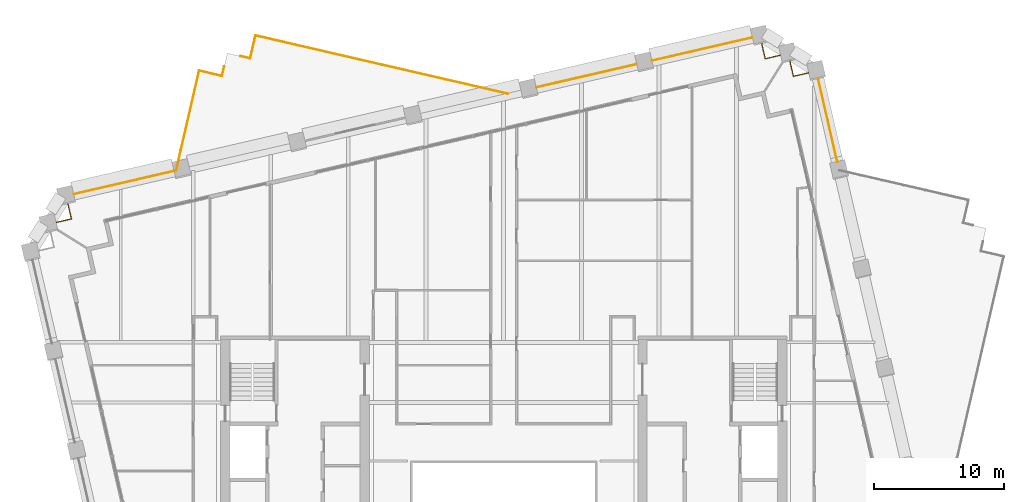
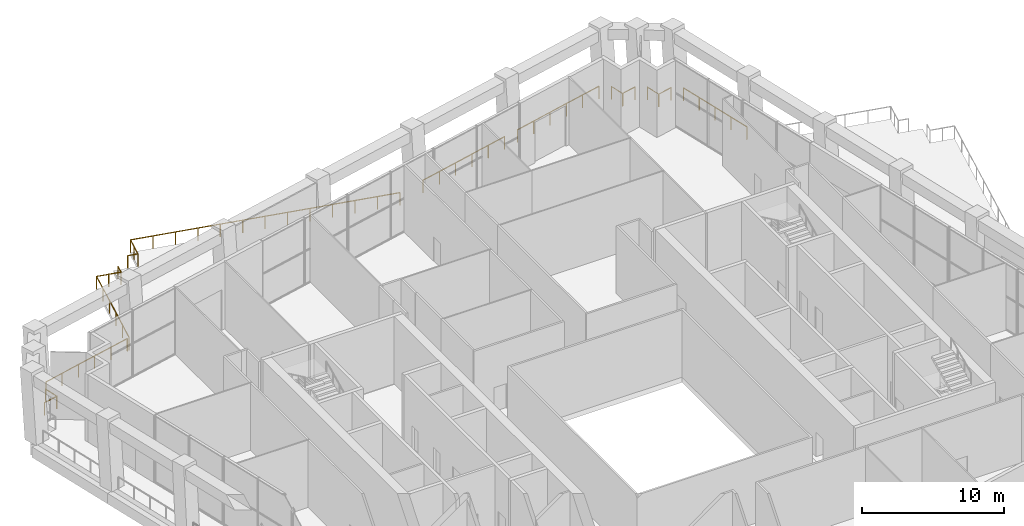
# One storey, part 22 of 24: 13 railings.
"""IFC4 building model written with IfcOpenShell, lengths in metres."""

from ifc_helpers import new_model, si_unit, direction, frame, origin, origin_2d, place, context, subcontext, project, spatial, circle, extrude, material, type_object, element, save


model = new_model("IFC4")

# Units and contexts
model_context = context("Model", 3, precision=1e-05, world=origin(), true_north=direction((0.0, 1.0)))
body_context = subcontext(model_context, "Body", "Model", "MODEL_VIEW")
ifc_project = project(units=[si_unit("LENGTHUNIT", "METRE"), si_unit("AREAUNIT", "SQUARE_METRE"), si_unit("VOLUMEUNIT", "CUBIC_METRE"), si_unit("PLANEANGLEUNIT", "RADIAN"), si_unit("MASSUNIT", "GRAM", prefix="KILO")], contexts=[model_context])

# Site, building, storey
site_placement = place(None, origin())
site = spatial("IfcSite", under=ifc_project, at=site_placement, CompositionType="ELEMENT")
building_placement = place(site_placement, origin())
building = spatial("IfcBuilding", under=site, at=building_placement, Name="Ogive Exchange Tower", CompositionType="ELEMENT")
storey_placement = place(building_placement, frame((0.0, 0.0, 165.60009765625)))
storey = spatial("IfcBuildingStorey", under=building, at=storey_placement, Name="L36", CompositionType="ELEMENT", Elevation=165.60009765625)

# Railings
ifc_material = material(Name="Stainless steel 316", Category="steel")
railing_type_1 = type_object("IfcRailingType", Name="Balustrade 1100 glass and stainless steel", PredefinedType="BALUSTRADE", material=ifc_material)
railing_1_placement = place(storey_placement, frame((-23.347900390625, 46.066162109375, 0.0)))
element("IfcRailing", 1, at=railing_1_placement, inside=storey, type_object=railing_type_1, Name="Terrace balustrade 19", PredefinedType="BALUSTRADE", context=body_context, shape_type="SweptSolid", body=[
    extrude(circle(Radius=0.02392578125, at=origin_2d()), frame((0.0, 0.0, 1.076171875), z_axis=(0.974386623598, -0.224879318197, 0.0), x_axis=(0.224879318197, 0.974386623598, 0.0)), (0.0, 0.0, 1.0), 1.800048828125),
    extrude(circle(Radius=0.02099609375, at=origin_2d()), origin(), (0.0, 0.0, 1.0), 1.052001953125),
    extrude(circle(Radius=0.02099609375, at=origin_2d()), frame((0.876953125, -0.202392578125, 0.0)), (0.0, 0.0, 1.0), 1.052001953125),
    extrude(circle(Radius=0.02099609375, at=origin_2d()), frame((1.75390625, -0.40478515625, 0.0)), (0.0, 0.0, 1.0), 1.052001953125),
])
railing_2_placement = place(storey_placement, frame((-21.593994140625, 45.661376953125, 0.0)))
element("IfcRailing", 2, at=railing_2_placement, inside=storey, type_object=railing_type_1, Name="Terrace balustrade 20", PredefinedType="BALUSTRADE", context=body_context, shape_type="SweptSolid", body=[
    extrude(circle(Radius=0.02392578125, at=origin_2d()), frame((0.0, 0.0, 1.076171875), z_axis=(0.224954609936, 0.974369243905, 0.0), x_axis=(-0.974369243905, 0.224954609936, 0.0)), (0.0, 0.0, 1.0), 0.75),
    extrude(circle(Radius=0.02099609375, at=origin_2d()), origin(), (0.0, 0.0, 1.0), 1.052001953125),
    extrude(circle(Radius=0.02099609375, at=origin_2d()), frame((0.168701171875, 0.730712890625, 0.0)), (0.0, 0.0, 1.0), 1.052001953125),
])
railing_3_placement = place(storey_placement, frame((-20.166015625, 47.178955078125, 0.0)))
element("IfcRailing", 3, at=railing_3_placement, inside=storey, type_object=railing_type_1, Name="Terrace balustrade 21", PredefinedType="BALUSTRADE", context=body_context, shape_type="SweptSolid", body=[
    extrude(circle(Radius=0.02392578125, at=origin_2d()), frame((0.0, 0.0, 1.076171875), z_axis=(0.974369243905, -0.224954609936, 0.0), x_axis=(0.224954609936, 0.974369243905, 0.0)), (0.0, 0.0, 1.0), 0.75),
    extrude(circle(Radius=0.02099609375, at=origin_2d()), origin(), (0.0, 0.0, 1.0), 1.052001953125),
    extrude(circle(Radius=0.02099609375, at=origin_2d()), frame((0.730712890625, -0.168701171875, 0.0)), (0.0, 0.0, 1.0), 1.052001953125),
])
railing_4_placement = place(storey_placement, frame((-19.435302734375, 47.01025390625, 0.0)))
element("IfcRailing", 4, at=railing_4_placement, inside=storey, type_object=railing_type_1, Name="Terrace balustrade 22", PredefinedType="BALUSTRADE", context=body_context, shape_type="SweptSolid", body=[
    extrude(circle(Radius=0.02392578125, at=origin_2d()), frame((0.0, 0.0, 1.076171875), z_axis=(0.224879318197, 0.974386623598, 0.0), x_axis=(-0.974386623598, 0.224879318197, 0.0)), (0.0, 0.0, 1.0), 1.800048828125),
    extrude(circle(Radius=0.02099609375, at=origin_2d()), origin(), (0.0, 0.0, 1.0), 1.052001953125),
    extrude(circle(Radius=0.02099609375, at=origin_2d()), frame((0.202392578125, 0.876953125, 0.0)), (0.0, 0.0, 1.0), 1.052001953125),
    extrude(circle(Radius=0.02099609375, at=origin_2d()), frame((0.40478515625, 1.75390625, 0.0)), (0.0, 0.0, 1.0), 1.052001953125),
])
railing_5_placement = place(storey_placement, frame((-19.030517578125, 48.76416015625, 0.0)))
element("IfcRailing", 5, at=railing_5_placement, inside=storey, type_object=railing_type_1, Name="Terrace balustrade 23", PredefinedType="BALUSTRADE", context=body_context, shape_type="SweptSolid", body=[
    extrude(circle(Radius=0.02392578125, at=origin_2d()), frame((0.0, 0.0, 1.076171875), z_axis=(0.974370495686, -0.224949187898, 0.0), x_axis=(0.224949187898, 0.974370495686, 0.0)), (0.0, 0.0, 1.0), 19.8818359375),
    extrude(circle(Radius=0.02099609375, at=origin_2d()), origin(), (0.0, 0.0, 1.0), 1.052001953125),
    extrude(circle(Radius=0.02099609375, at=origin_2d()), frame((1.6142578125, -0.372802734375, 0.0)), (0.0, 0.0, 1.0), 1.052001953125),
    extrude(circle(Radius=0.02099609375, at=origin_2d()), frame((3.228759765625, -0.745361328125, 0.0)), (0.0, 0.0, 1.0), 1.052001953125),
    extrude(circle(Radius=0.02099609375, at=origin_2d()), frame((4.843017578125, -1.1181640625, 0.0)), (0.0, 0.0, 1.0), 1.052001953125),
    extrude(circle(Radius=0.02099609375, at=origin_2d()), frame((6.45751953125, -1.49072265625, 0.0)), (0.0, 0.0, 1.0), 1.052001953125),
    extrude(circle(Radius=0.02099609375, at=origin_2d()), frame((8.07177734375, -1.863525390625, 0.0)), (0.0, 0.0, 1.0), 1.052001953125),
    extrude(circle(Radius=0.02099609375, at=origin_2d()), frame((9.68603515625, -2.236328125, 0.0)), (0.0, 0.0, 1.0), 1.052001953125),
    extrude(circle(Radius=0.02099609375, at=origin_2d()), frame((11.300537109375, -2.60888671875, 0.0)), (0.0, 0.0, 1.0), 1.052001953125),
    extrude(circle(Radius=0.02099609375, at=origin_2d()), frame((12.914794921875, -2.981689453125, 0.0)), (0.0, 0.0, 1.0), 1.052001953125),
    extrude(circle(Radius=0.02099609375, at=origin_2d()), frame((14.529296875, -3.354248046875, 0.0)), (0.0, 0.0, 1.0), 1.052001953125),
    extrude(circle(Radius=0.02099609375, at=origin_2d()), frame((16.1435546875, -3.72705078125, 0.0)), (0.0, 0.0, 1.0), 1.052001953125),
    extrude(circle(Radius=0.02099609375, at=origin_2d()), frame((17.758056640625, -4.099609375, 0.0)), (0.0, 0.0, 1.0), 1.052001953125),
    extrude(circle(Radius=0.02099609375, at=origin_2d()), frame((19.372314453125, -4.472412109375, 0.0)), (0.0, 0.0, 1.0), 1.052001953125),
])
railing_6_placement = place(storey_placement, frame((-25.114501953125, 38.414794921875, 0.0)))
element("IfcRailing", 6, at=railing_6_placement, inside=storey, type_object=railing_type_1, Name="Terrace balustrade 24", PredefinedType="BALUSTRADE", context=body_context, shape_type="SweptSolid", body=[
    extrude(circle(Radius=0.02392578125, at=origin_2d()), frame((0.0, 0.0, 1.076171875), z_axis=(0.224968495563, 0.974366037998, 0.0), x_axis=(-0.974366037998, 0.224968495563, 0.0)), (0.0, 0.0, 1.0), 7.852783203125),
    extrude(circle(Radius=0.02099609375, at=origin_2d()), origin(), (0.0, 0.0, 1.0), 1.052001953125),
    extrude(circle(Radius=0.02099609375, at=origin_2d()), frame((0.353271484375, 1.5302734375, 0.0)), (0.0, 0.0, 1.0), 1.052001953125),
    extrude(circle(Radius=0.02099609375, at=origin_2d()), frame((0.70654296875, 3.060546875, 0.0)), (0.0, 0.0, 1.0), 1.052001953125),
    extrude(circle(Radius=0.02099609375, at=origin_2d()), frame((1.06005859375, 4.5908203125, 0.0)), (0.0, 0.0, 1.0), 1.052001953125),
    extrude(circle(Radius=0.02099609375, at=origin_2d()), frame((1.413330078125, 6.12109375, 0.0)), (0.0, 0.0, 1.0), 1.052001953125),
    extrude(circle(Radius=0.02099609375, at=origin_2d()), frame((1.7666015625, 7.6513671875, 0.0)), (0.0, 0.0, 1.0), 1.052001953125),
])
railing_type_2 = type_object("IfcRailingType", Name="Guard 1100 stainless steel and glass", PredefinedType="GUARDRAIL", material=ifc_material)
railing_7_placement = place(storey_placement, frame((25.58203125, 39.055419921875, 0.0)))
element("IfcRailing", 7, at=railing_7_placement, inside=storey, type_object=railing_type_2, Name="Loggia guard E06", PredefinedType="GUARDRAIL", context=body_context, shape_type="SweptSolid", body=[
    extrude(circle(Radius=0.02392578125, at=origin_2d()), frame((0.0, 0.0, 1.076171875), z_axis=(-0.224973663593, 0.974364844752, 0.0), x_axis=(-0.974364844752, -0.224973663593, 0.0)), (0.0, 0.0, 1.0), 6.56005859375),
    extrude(circle(Radius=0.02099609375, at=origin_2d()), origin(), (0.0, 0.0, 1.0), 1.052001953125),
    extrude(circle(Radius=0.02099609375, at=origin_2d()), frame((-0.368896484375, 1.597900390625, 0.0)), (0.0, 0.0, 1.0), 1.052001953125),
    extrude(circle(Radius=0.02099609375, at=origin_2d()), frame((-0.73779296875, 3.19580078125, 0.0)), (0.0, 0.0, 1.0), 1.052001953125),
    extrude(circle(Radius=0.02099609375, at=origin_2d()), frame((-1.10693359375, 4.7939453125, 0.0)), (0.0, 0.0, 1.0), 1.052001953125),
    extrude(circle(Radius=0.02099609375, at=origin_2d()), frame((-1.475830078125, 6.391845703125, 0.0)), (0.0, 0.0, 1.0), 1.052001953125),
])
for number, where, name in (
    (8, (19.045166015625, 48.609619140625, 0.0), "Loggia guard N00"),
    (9, (10.178466796875, 46.562744140625, 0.0), "Loggia guard N01"),
):
    element("IfcRailing", number, at=place(storey_placement, frame(where)), inside=storey, type_object=railing_type_2, Name=name, PredefinedType="GUARDRAIL", context=body_context, shape_type="SweptSolid", body=[
        extrude(circle(Radius=0.02392578125, at=origin_2d()), frame((0.0, 0.0, 1.076171875), z_axis=(-0.974370774795, -0.22494797893, 0.0), x_axis=(0.22494797893, -0.974370774795, 0.0)), (0.0, 0.0, 1.0), 7.85986328125),
        extrude(circle(Radius=0.02099609375, at=origin_2d()), origin(), (0.0, 0.0, 1.0), 1.052001953125),
        extrude(circle(Radius=0.02099609375, at=origin_2d()), frame((-1.53173828125, -0.353515625, 0.0)), (0.0, 0.0, 1.0), 1.052001953125),
        extrude(circle(Radius=0.02099609375, at=origin_2d()), frame((-3.0634765625, -0.707275390625, 0.0)), (0.0, 0.0, 1.0), 1.052001953125),
        extrude(circle(Radius=0.02099609375, at=origin_2d()), frame((-4.594970703125, -1.060791015625, 0.0)), (0.0, 0.0, 1.0), 1.052001953125),
        extrude(circle(Radius=0.02099609375, at=origin_2d()), frame((-6.126708984375, -1.41455078125, 0.0)), (0.0, 0.0, 1.0), 1.052001953125),
        extrude(circle(Radius=0.02099609375, at=origin_2d()), frame((-7.658447265625, -1.76806640625, 0.0)), (0.0, 0.0, 1.0), 1.052001953125),
    ])
railing_8_placement = place(storey_placement, frame((-25.28857421875, 38.37451171875, 0.0)))
element("IfcRailing", 10, at=railing_8_placement, inside=storey, type_object=railing_type_2, Name="Loggia guard N05", PredefinedType="GUARDRAIL", context=body_context, shape_type="SweptSolid", body=[
    extrude(circle(Radius=0.02392578125, at=origin_2d()), frame((0.0, 0.0, 1.076171875), z_axis=(-0.974365538329, -0.224970659679, 0.0), x_axis=(0.224970659679, -0.974365538329, 0.0)), (0.0, 0.0, 1.0), 7.860107421875),
    extrude(circle(Radius=0.02099609375, at=origin_2d()), origin(), (0.0, 0.0, 1.0), 1.052001953125),
    extrude(circle(Radius=0.02099609375, at=origin_2d()), frame((-1.53173828125, -0.353759765625, 0.0)), (0.0, 0.0, 1.0), 1.052001953125),
    extrude(circle(Radius=0.02099609375, at=origin_2d()), frame((-3.0634765625, -0.707275390625, 0.0)), (0.0, 0.0, 1.0), 1.052001953125),
    extrude(circle(Radius=0.02099609375, at=origin_2d()), frame((-4.59521484375, -1.06103515625, 0.0)), (0.0, 0.0, 1.0), 1.052001953125),
    extrude(circle(Radius=0.02099609375, at=origin_2d()), frame((-6.126953125, -1.41455078125, 0.0)), (0.0, 0.0, 1.0), 1.052001953125),
    extrude(circle(Radius=0.02099609375, at=origin_2d()), frame((-7.65869140625, -1.768310546875, 0.0)), (0.0, 0.0, 1.0), 1.052001953125),
])
for number, where, name in (
    (11, (23.36279296875, 45.911865234375, 0.0), "Loggia guard C21"),
    (12, (21.2041015625, 47.2607421875, 0.0), "Loggia guard C22"),
):
    element("IfcRailing", number, at=place(storey_placement, frame(where)), inside=storey, type_object=railing_type_2, Name=name, PredefinedType="GUARDRAIL", context=body_context, shape_type="SweptSolid", body=[
        extrude(circle(Radius=0.02392578125, at=origin_2d()), frame((0.0, 0.0, 1.076171875), z_axis=(-0.974387708897, -0.22487461562, 0.0), x_axis=(0.22487461562, -0.974387708897, 0.0)), (0.0, 0.0, 1.0), 1.18017578125),
        extrude(circle(Radius=0.02392578125, at=origin_2d()), frame((-1.14990234375, -0.265380859375, 1.076171875), z_axis=(-0.224919954245, 0.974377244286, 0.0), x_axis=(-0.974377244286, -0.224919954245, 0.0)), (0.0, 0.0, 1.0), 1.179931640625),
        extrude(circle(Radius=0.02099609375, at=origin_2d()), origin(), (0.0, 0.0, 1.0), 1.052001953125),
        extrude(circle(Radius=0.02099609375, at=origin_2d()), frame((-1.14990234375, -0.265380859375, 0.0)), (0.0, 0.0, 1.0), 1.052001953125),
        extrude(circle(Radius=0.02099609375, at=origin_2d()), frame((-1.415283203125, 0.88427734375, 0.0)), (0.0, 0.0, 1.0), 1.052001953125),
    ])
railing_9_placement = place(storey_placement, frame((-33.411865234375, 35.86279296875, 0.0)))
element("IfcRailing", 13, at=railing_9_placement, inside=storey, type_object=railing_type_2, Name="Loggia guard C31", PredefinedType="GUARDRAIL", context=body_context, shape_type="SweptSolid", body=[
    extrude(circle(Radius=0.02392578125, at=origin_2d()), frame((0.0, 0.0, 1.076171875), z_axis=(0.22487461562, -0.974387708897, 0.0), x_axis=(0.974387708897, 0.22487461562, 0.0)), (0.0, 0.0, 1.0), 1.18017578125),
    extrude(circle(Radius=0.02392578125, at=origin_2d()), frame((0.265380859375, -1.14990234375, 1.076171875), z_axis=(-0.974377244286, -0.224919954245, 0.0), x_axis=(0.224919954245, -0.974377244286, 0.0)), (0.0, 0.0, 1.0), 1.179931640625),
    extrude(circle(Radius=0.02099609375, at=origin_2d()), origin(), (0.0, 0.0, 1.0), 1.052001953125),
    extrude(circle(Radius=0.02099609375, at=origin_2d()), frame((0.265380859375, -1.14990234375, 0.0)), (0.0, 0.0, 1.0), 1.052001953125),
    extrude(circle(Radius=0.02099609375, at=origin_2d()), frame((-0.88427734375, -1.415283203125, 0.0)), (0.0, 0.0, 1.0), 1.052001953125),
])

save(model, "model.ifc")
